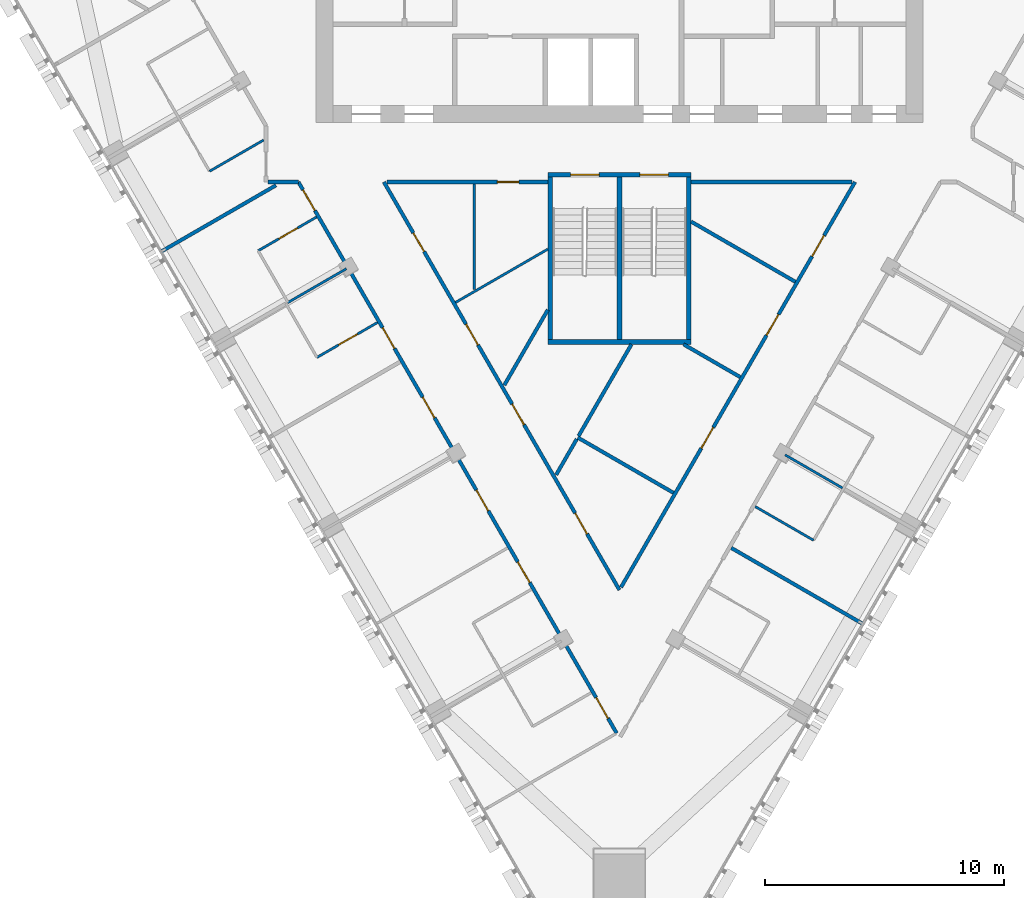
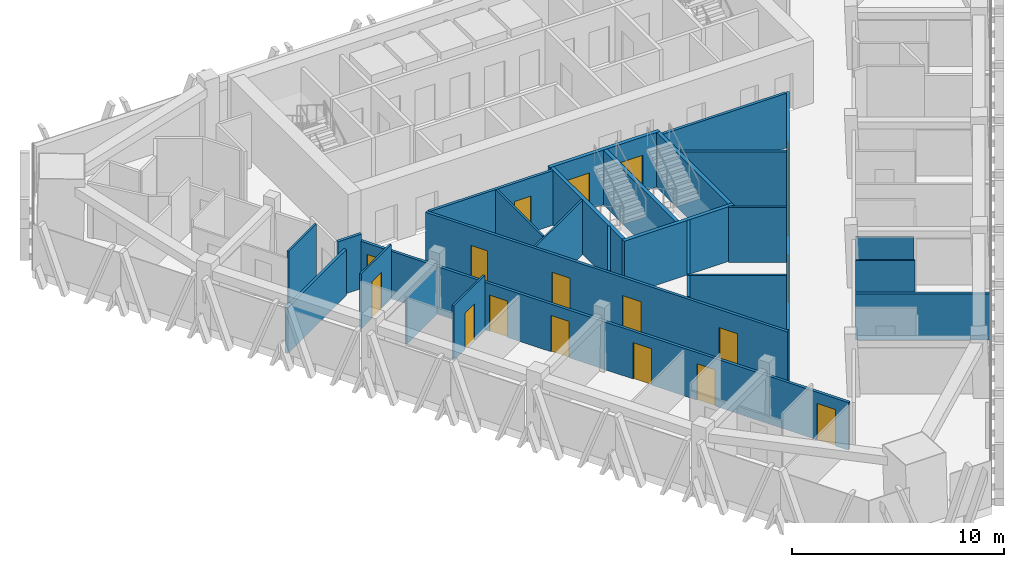
# One storey, part 9 of 16: 27 walls, 18 doors, 18 openings.
"""IFC4 building model written with IfcOpenShell, lengths in metres."""

from ifc_helpers import new_model, si_unit, direction, frame, frame_2d, origin, place, context, subcontext, project, spatial, rectangle, extrude, material, layer, layer_set, type_object, element, fill, save


model = new_model("IFC4")

# Units and contexts
model_context = context("Model", 3, precision=1e-05, world=origin(), true_north=direction((0.0, 1.0)))
body_context = subcontext(model_context, "Body", "Model", "MODEL_VIEW")
ifc_project = project(units=[si_unit("LENGTHUNIT", "METRE"), si_unit("AREAUNIT", "SQUARE_METRE"), si_unit("VOLUMEUNIT", "CUBIC_METRE"), si_unit("PLANEANGLEUNIT", "RADIAN"), si_unit("MASSUNIT", "GRAM", prefix="KILO")], contexts=[model_context])

# Site, building, storey
site_placement = place(None, origin())
site = spatial("IfcSite", under=ifc_project, at=site_placement, CompositionType="ELEMENT")
building_placement = place(site_placement, origin())
building = spatial("IfcBuilding", under=site, at=building_placement, Name="Altiplano Prism Tower", CompositionType="ELEMENT")
storey_placement = place(building_placement, frame((0.0, 0.0, 181.800048828125)))
storey = spatial("IfcBuildingStorey", under=building, at=storey_placement, Name="L47", CompositionType="ELEMENT", Elevation=181.800048828125)

# Wall
ifc_material_1 = material(Name="Plasterboard on steel stud", Category="steel")
ifc_layer_1 = layer(ifc_material_1, 0.10009765625)
ifc_layer_set_1 = layer_set([ifc_layer_1], Name="Plasterboard on steel stud")
wall_type_1 = type_object("IfcWallType", Name="Partition 100 unit", PredefinedType="PARTITIONING", material=ifc_layer_set_1)
wall_1_placement = place(storey_placement, frame((70.10009765625, 91.955322265625, 0.0), z_axis=(0.0, 0.0, 1.0), x_axis=(-0.866041074705, -0.499972856187, 0.0)))
element("IfcWall", 1, at=wall_1_placement, inside=storey, type_object=wall_type_1, Name="Partition P02 L47 048", PredefinedType="PARTITIONING", context=body_context, shape_type="SweptSolid", body=[
    extrude(rectangle(XDim=2.616455078125, YDim=0.10009765625, at=frame_2d((1.30810546875, 0.0))), origin(), (0.0, 0.0, 1.0), 3.14990234375),
])

# Wall, opening, door
wall_2_placement = place(storey_placement, frame((69.87060546875, 87.319580078125, 0.0), z_axis=(0.0, 0.0, 1.0), x_axis=(0.866011447264, 0.500024172624, 0.0)))
wall_2 = element("IfcWall", 2, at=wall_2_placement, inside=storey, type_object=wall_type_1, Name="Partition P02 L47 051", PredefinedType="PARTITIONING", context=body_context, shape_type="SweptSolid", body=[
    extrude(rectangle(XDim=2.824951171875, YDim=0.10009765625, at=frame_2d((1.41259765625, 0.0))), origin(), (0.0, 0.0, 1.0), 3.14990234375),
])
opening_1_placement = place(wall_2_placement, frame((1.0, 0.0, 0.0)))
opening_1 = element("IfcOpeningElement", 3, at=opening_1_placement, cuts=wall_2, Name="Opening D1661", PredefinedType="OPENING", context=body_context, shape_type="SweptSolid", body=[
    extrude(rectangle(XDim=0.89990234375, YDim=2.10009765625, at=frame_2d((0.449951171875, 1.050048828125))), frame((0.0, 0.060546875, 0.0), z_axis=(0.0, -1.0, 0.0), x_axis=(1.0, 0.0, 0.0)), (0.0, 0.0, 1.0), 0.12109375),
])
ifc_material_2 = material(Name="Timber", Category="wood")
door_type_1 = type_object("IfcDoorType", Name="Ensuite door 900 x 2100", OperationType="NOTDEFINED", PredefinedType="NOTDEFINED", material=ifc_material_2)
door_1_placement = place(opening_1_placement, origin())
door_1 = element("IfcDoor", 4, at=door_1_placement, inside=storey, type_object=door_type_1, Name="Door D1661", OperationType="SINGLE_SWING_LEFT", OverallHeight=2.10009765625, OverallWidth=0.89990234375, PredefinedType="NOTDEFINED", context=body_context, shape_type="SweptSolid", body=[
    extrude(rectangle(XDim=0.89990234375, YDim=2.10009765625, at=frame_2d((0.449951171875, 1.050048828125))), frame((0.0, 0.02490234375, 0.0), z_axis=(0.0, -1.0, 0.0), x_axis=(1.0, 0.0, 0.0)), (0.0, 0.0, 1.0), 0.050048828125),
])
fill(opening_1, door_1)

wall_3_placement = place(storey_placement, frame((74.8671875, 84.3154296875, 0.0), z_axis=(0.0, 0.0, 1.0), x_axis=(-0.866025730634, -0.499999433879, 0.0)))
wall_3 = element("IfcWall", 5, at=wall_3_placement, inside=storey, type_object=wall_type_1, Name="Partition P02 L47 054", PredefinedType="PARTITIONING", context=body_context, shape_type="SweptSolid", body=[
    extrude(rectangle(XDim=2.9248046875, YDim=0.10009765625, at=frame_2d((1.46240234375, 0.0))), origin(), (0.0, 0.0, 1.0), 3.14990234375),
])
opening_2_placement = place(wall_3_placement, frame((0.97509765625, 0.0, 0.0)))
opening_2 = element("IfcOpeningElement", 6, at=opening_2_placement, cuts=wall_3, Name="Opening D1663", PredefinedType="OPENING", context=body_context, shape_type="SweptSolid", body=[
    extrude(rectangle(XDim=0.89990234375, YDim=2.10009765625, at=frame_2d((0.449951171875, 1.050048828125))), frame((0.0, 0.060546875, 0.0), z_axis=(0.0, -1.0, 0.0), x_axis=(1.0, 0.0, 0.0)), (0.0, 0.0, 1.0), 0.12109375),
])
door_2_placement = place(opening_2_placement, origin())
door_2 = element("IfcDoor", 7, at=door_2_placement, inside=storey, type_object=door_type_1, Name="Door D1663", OperationType="SINGLE_SWING_RIGHT", OverallHeight=2.10009765625, OverallWidth=0.89990234375, PredefinedType="NOTDEFINED", context=body_context, shape_type="SweptSolid", body=[
    extrude(rectangle(XDim=0.89990234375, YDim=2.10009765625, at=frame_2d((0.449951171875, 1.050048828125))), frame((0.0, 0.02490234375, 0.0), z_axis=(0.0, -1.0, 0.0), x_axis=(1.0, 0.0, 0.0)), (0.0, 0.0, 1.0), 0.050048828125),
])
fill(opening_2, door_2)

# Walls
wall_4_placement = place(storey_placement, frame((93.12939453125, 75.1953125, 0.0), z_axis=(0.0, 0.0, 1.0), x_axis=(-0.866011447264, 0.500024172624, 0.0)))
element("IfcWall", 8, at=wall_4_placement, inside=storey, type_object=wall_type_1, Name="Partition P02 L47 069", PredefinedType="PARTITIONING", context=body_context, shape_type="SweptSolid", body=[
    extrude(rectangle(XDim=2.824951171875, YDim=0.10009765625, at=frame_2d((1.41259765625, 0.0))), origin(), (0.0, 0.0, 1.0), 3.14990234375),
])
ifc_layer_2 = layer(ifc_material_1, 0.10009765625)
ifc_layer_set_2 = layer_set([ifc_layer_2], Name="Plasterboard on steel stud")
wall_type_2 = type_object("IfcWallType", Name="Partition 100 wet", PredefinedType="PARTITIONING", material=ifc_layer_set_2)
wall_5_placement = place(storey_placement, frame((78.9189453125, 90.125, 0.0), z_axis=(0.0, 0.0, 1.0), x_axis=(0.0, -1.0, 0.0)))
element("IfcWall", 9, at=wall_5_placement, inside=storey, type_object=wall_type_2, Name="Partition P03 L47 035", PredefinedType="PARTITIONING", context=body_context, shape_type="SweptSolid", body=[
    extrude(rectangle(XDim=4.4306640625, YDim=0.10009765625, at=frame_2d((2.21533203125, 0.0))), origin(), (0.0, 0.0, 1.0), 3.14990234375),
])
wall_6_placement = place(storey_placement, frame((78.13525390625, 85.1552734375, 0.0), z_axis=(0.0, 0.0, 1.0), x_axis=(0.866036176647, 0.49998134039, 0.0)))
element("IfcWall", 10, at=wall_6_placement, inside=storey, type_object=wall_type_2, Name="Partition P03 L47 036", PredefinedType="PARTITIONING", context=body_context, shape_type="SweptSolid", body=[
    extrude(rectangle(XDim=4.462646484375, YDim=0.10009765625, at=frame_2d((2.2314453125, 0.0))), origin(), (0.0, 0.0, 1.0), 3.14990234375),
])
wall_7_placement = place(storey_placement, frame((71.103271484375, 85.14453125, 0.0), z_axis=(0.0, 0.0, 1.0), x_axis=(0.866011243319, 0.500024525844, 0.0)))
element("IfcWall", 11, at=wall_7_placement, inside=storey, type_object=wall_type_2, Name="Partition P03 L47 053", PredefinedType="PARTITIONING", context=body_context, shape_type="SweptSolid", body=[
    extrude(rectangle(XDim=2.844970703125, YDim=0.10009765625, at=frame_2d((1.42236328125, 0.0))), origin(), (0.0, 0.0, 1.0), 2.75),
])
wall_8_placement = place(storey_placement, frame((94.3359375, 77.38525390625, 0.0), z_axis=(0.0, 0.0, 1.0), x_axis=(-0.865981921271, 0.50007530636, 0.0)))
element("IfcWall", 12, at=wall_8_placement, inside=storey, type_object=wall_type_2, Name="Partition P03 L47 071", PredefinedType="PARTITIONING", context=body_context, shape_type="SweptSolid", body=[
    extrude(rectangle(XDim=2.77490234375, YDim=0.10009765625, at=frame_2d((1.387451171875, 0.0))), origin(), (0.0, 0.0, 1.0), 2.75),
])

# Wall, openings, doors
ifc_layer_3 = layer(ifc_material_1, 0.14990234375)
ifc_layer_set_3 = layer_set([ifc_layer_3], Name="Plasterboard on steel stud")
wall_type_3 = type_object("IfcWallType", Name="Partition 150 corridor", PredefinedType="PARTITIONING", material=ifc_layer_set_3)
wall_9_placement = place(storey_placement, frame((85.0, 73.114990234375, 0.0), z_axis=(0.0, 0.0, 1.0), x_axis=(-0.500000261386, 0.866025252873, 0.0)))
wall_9 = element("IfcWall", 13, at=wall_9_placement, inside=storey, type_object=wall_type_3, Name="Partition P06 L47 001", PredefinedType="PARTITIONING", context=body_context, shape_type="SweptSolid", body=[
    extrude(rectangle(XDim=19.72802734375, YDim=0.14990234375, at=frame_2d((9.864013671875, 0.0))), origin(), (0.0, 0.0, 1.0), 3.14990234375),
])
opening_3_placement = place(wall_9_placement, frame((16.362060546875, 0.0, 0.0)))
opening_3 = element("IfcOpeningElement", 14, at=opening_3_placement, cuts=wall_9, Name="Opening D1651", PredefinedType="OPENING", context=body_context, shape_type="SweptSolid", body=[
    extrude(rectangle(XDim=0.89990234375, YDim=2.10009765625, at=frame_2d((0.449951171875, 1.050048828125))), frame((0.0, 0.08544921875, 0.0), z_axis=(0.0, -1.0, 0.0), x_axis=(1.0, 0.0, 0.0)), (0.0, 0.0, 1.0), 0.1708984375),
])
opening_4_placement = place(wall_9_placement, frame((11.846923828125, 0.0, 0.0)))
opening_4 = element("IfcOpeningElement", 15, at=opening_4_placement, cuts=wall_9, Name="Opening D1652", PredefinedType="OPENING", context=body_context, shape_type="SweptSolid", body=[
    extrude(rectangle(XDim=1.0, YDim=2.10009765625, at=frame_2d((0.5, 1.050048828125))), frame((0.0, 0.08544921875, 0.0), z_axis=(0.0, -1.0, 0.0), x_axis=(1.0, 0.0, 0.0)), (0.0, 0.0, 1.0), 0.1708984375),
])
opening_5_placement = place(wall_9_placement, frame((2.715087890625, 0.0, 0.0)))
opening_5 = element("IfcOpeningElement", 16, at=opening_5_placement, cuts=wall_9, Name="Opening D1653", PredefinedType="OPENING", context=body_context, shape_type="SweptSolid", body=[
    extrude(rectangle(XDim=1.0, YDim=2.10009765625, at=frame_2d((0.5, 1.050048828125))), frame((0.0, 0.08544921875, 0.0), z_axis=(0.0, -1.0, 0.0), x_axis=(1.0, 0.0, 0.0)), (0.0, 0.0, 1.0), 0.1708984375),
])
opening_6_placement = place(wall_9_placement, frame((7.990966796875, 0.0, 0.0)))
opening_6 = element("IfcOpeningElement", 17, at=opening_6_placement, cuts=wall_9, Name="Opening D1654", PredefinedType="OPENING", context=body_context, shape_type="SweptSolid", body=[
    extrude(rectangle(XDim=1.0, YDim=2.10009765625, at=frame_2d((0.5, 1.050048828125))), frame((0.0, 0.08544921875, 0.0), z_axis=(0.0, -1.0, 0.0), x_axis=(1.0, 0.0, 0.0)), (0.0, 0.0, 1.0), 0.1708984375),
])
door_type_2 = type_object("IfcDoorType", Name="Store door 1000 x 2100", OperationType="NOTDEFINED", PredefinedType="NOTDEFINED", material=ifc_material_2)
door_3_placement = place(opening_4_placement, origin())
door_3 = element("IfcDoor", 18, at=door_3_placement, inside=storey, type_object=door_type_2, Name="Door D1652", OperationType="SINGLE_SWING_RIGHT", OverallHeight=2.10009765625, OverallWidth=1.0, PredefinedType="NOTDEFINED", context=body_context, shape_type="SweptSolid", body=[
    extrude(rectangle(XDim=1.0, YDim=2.10009765625, at=frame_2d((0.5, 1.050048828125))), frame((0.0, 0.02490234375, 0.0), z_axis=(0.0, -1.0, 0.0), x_axis=(1.0, 0.0, 0.0)), (0.0, 0.0, 1.0), 0.050048828125),
])
fill(opening_4, door_3)
door_4_placement = place(opening_5_placement, origin())
door_4 = element("IfcDoor", 19, at=door_4_placement, inside=storey, type_object=door_type_2, Name="Door D1653", OperationType="SINGLE_SWING_RIGHT", OverallHeight=2.10009765625, OverallWidth=1.0, PredefinedType="NOTDEFINED", context=body_context, shape_type="SweptSolid", body=[
    extrude(rectangle(XDim=1.0, YDim=2.10009765625, at=frame_2d((0.5, 1.050048828125))), frame((0.0, 0.02490234375, 0.0), z_axis=(0.0, -1.0, 0.0), x_axis=(1.0, 0.0, 0.0)), (0.0, 0.0, 1.0), 0.050048828125),
])
fill(opening_5, door_4)
door_5_placement = place(opening_6_placement, origin())
door_5 = element("IfcDoor", 20, at=door_5_placement, inside=storey, type_object=door_type_2, Name="Door D1654", OperationType="SINGLE_SWING_LEFT", OverallHeight=2.10009765625, OverallWidth=1.0, PredefinedType="NOTDEFINED", context=body_context, shape_type="SweptSolid", body=[
    extrude(rectangle(XDim=1.0, YDim=2.10009765625, at=frame_2d((0.5, 1.050048828125))), frame((0.0, 0.02490234375, 0.0), z_axis=(0.0, -1.0, 0.0), x_axis=(1.0, 0.0, 0.0)), (0.0, 0.0, 1.0), 0.050048828125),
])
fill(opening_6, door_5)
door_type_3 = type_object("IfcDoorType", Name="Toilet door 900 x 2100", OperationType="NOTDEFINED", PredefinedType="NOTDEFINED", material=ifc_material_2)
door_6_placement = place(opening_3_placement, origin())
door_6 = element("IfcDoor", 21, at=door_6_placement, inside=storey, type_object=door_type_3, Name="Door D1651", OperationType="SINGLE_SWING_LEFT", OverallHeight=2.10009765625, OverallWidth=0.89990234375, PredefinedType="NOTDEFINED", context=body_context, shape_type="SweptSolid", body=[
    extrude(rectangle(XDim=0.89990234375, YDim=2.10009765625, at=frame_2d((0.449951171875, 1.050048828125))), frame((0.0, 0.02490234375, 0.0), z_axis=(0.0, -1.0, 0.0), x_axis=(1.0, 0.0, 0.0)), (0.0, 0.0, 1.0), 0.050048828125),
])
fill(opening_3, door_6)

# Wall, opening, door
wall_10_placement = place(storey_placement, frame((75.265869140625, 90.199951171875, 0.0), z_axis=(0.0, 0.0, 1.0), x_axis=(1.0, 0.0, 0.0)))
wall_10 = element("IfcWall", 22, at=wall_10_placement, inside=storey, type_object=wall_type_3, Name="Partition P06 L47 002", PredefinedType="PARTITIONING", context=body_context, shape_type="SweptSolid", body=[
    extrude(rectangle(XDim=6.734130859375, YDim=0.14990234375, at=frame_2d((3.3671875, 0.0))), origin(), (0.0, 0.0, 1.0), 3.14990234375),
])
opening_7_placement = place(wall_10_placement, frame((4.6201171875, 0.0, 0.0)))
opening_7 = element("IfcOpeningElement", 23, at=opening_7_placement, cuts=wall_10, Name="Opening D1650", PredefinedType="OPENING", context=body_context, shape_type="SweptSolid", body=[
    extrude(rectangle(XDim=0.89990234375, YDim=2.10009765625, at=frame_2d((0.449951171875, 1.050048828125))), frame((0.0, 0.08544921875, 0.0), z_axis=(0.0, -1.0, 0.0), x_axis=(1.0, 0.0, 0.0)), (0.0, 0.0, 1.0), 0.1708984375),
])
door_7_placement = place(opening_7_placement, origin())
door_7 = element("IfcDoor", 24, at=door_7_placement, inside=storey, type_object=door_type_3, Name="Door D1650", OperationType="SINGLE_SWING_LEFT", OverallHeight=2.10009765625, OverallWidth=0.89990234375, PredefinedType="NOTDEFINED", context=body_context, shape_type="SweptSolid", body=[
    extrude(rectangle(XDim=0.89990234375, YDim=2.10009765625, at=frame_2d((0.449951171875, 1.050048828125))), frame((0.0, 0.02490234375, 0.0), z_axis=(0.0, -1.0, 0.0), x_axis=(1.0, 0.0, 0.0)), (0.0, 0.0, 1.0), 0.050048828125),
])
fill(opening_7, door_7)

# Wall
wall_11_placement = place(storey_placement, frame((70.27490234375, 90.199951171875, 0.0), z_axis=(0.0, 0.0, 1.0), x_axis=(1.0, 0.0, 0.0)))
element("IfcWall", 25, at=wall_11_placement, inside=storey, type_object=wall_type_3, Name="Partition P06 L47 006", PredefinedType="PARTITIONING", context=body_context, shape_type="SweptSolid", body=[
    extrude(rectangle(XDim=1.281494140625, YDim=0.14990234375, at=frame_2d((0.640625, 0.0))), origin(), (0.0, 0.0, 1.0), 3.14990234375),
])

# Wall, openings, doors
wall_12_placement = place(storey_placement, frame((71.556396484375, 90.199951171875, 0.0), z_axis=(0.0, 0.0, 1.0), x_axis=(0.499999195485, -0.866025868271, 0.0)))
wall_12 = element("IfcWall", 26, at=wall_12_placement, inside=storey, type_object=wall_type_3, Name="Partition P06 L47 007", PredefinedType="PARTITIONING", context=body_context, shape_type="SweptSolid", body=[
    extrude(rectangle(XDim=26.6513671875, YDim=0.14990234375, at=frame_2d((13.32568359375, 0.0))), origin(), (0.0, 0.0, 1.0), 2.75),
])
opening_8_placement = place(wall_12_placement, frame((0.381103515625, 0.0, 0.0)))
opening_8 = element("IfcOpeningElement", 27, at=opening_8_placement, cuts=wall_12, Name="Opening D1660", PredefinedType="OPENING", context=body_context, shape_type="SweptSolid", body=[
    extrude(rectangle(XDim=1.0, YDim=2.10009765625, at=frame_2d((0.5, 1.050048828125))), frame((0.0, 0.08544921875, 0.0), z_axis=(0.0, -1.0, 0.0), x_axis=(1.0, 0.0, 0.0)), (0.0, 0.0, 1.0), 0.1708984375),
])
opening_9_placement = place(wall_12_placement, frame((7.047119140625, 0.0, 0.0)))
opening_9 = element("IfcOpeningElement", 28, at=opening_9_placement, cuts=wall_12, Name="Opening D1662", PredefinedType="OPENING", context=body_context, shape_type="SweptSolid", body=[
    extrude(rectangle(XDim=1.0, YDim=2.10009765625, at=frame_2d((0.5, 1.050048828125))), frame((0.0, 0.08544921875, 0.0), z_axis=(0.0, -1.0, 0.0), x_axis=(1.0, 0.0, 0.0)), (0.0, 0.0, 1.0), 0.1708984375),
])
opening_10_placement = place(wall_12_placement, frame((10.402099609375, 0.0, 0.0)))
opening_10 = element("IfcOpeningElement", 29, at=opening_10_placement, cuts=wall_12, Name="Opening D1664", PredefinedType="OPENING", context=body_context, shape_type="SweptSolid", body=[
    extrude(rectangle(XDim=1.0, YDim=2.10009765625, at=frame_2d((0.5, 1.050048828125))), frame((0.0, 0.08544921875, 0.0), z_axis=(0.0, -1.0, 0.0), x_axis=(1.0, 0.0, 0.0)), (0.0, 0.0, 1.0), 0.1708984375),
])
opening_11_placement = place(wall_12_placement, frame((14.902099609375, 0.0, 0.0)))
opening_11 = element("IfcOpeningElement", 30, at=opening_11_placement, cuts=wall_12, Name="Opening D1665", PredefinedType="OPENING", context=body_context, shape_type="SweptSolid", body=[
    extrude(rectangle(XDim=1.0, YDim=2.10009765625, at=frame_2d((0.5, 1.050048828125))), frame((0.0, 0.08544921875, 0.0), z_axis=(0.0, -1.0, 0.0), x_axis=(1.0, 0.0, 0.0)), (0.0, 0.0, 1.0), 0.1708984375),
])
opening_12_placement = place(wall_12_placement, frame((18.3720703125, 0.0, 0.0)))
opening_12 = element("IfcOpeningElement", 31, at=opening_12_placement, cuts=wall_12, Name="Opening D1666", PredefinedType="OPENING", context=body_context, shape_type="SweptSolid", body=[
    extrude(rectangle(XDim=1.0, YDim=2.10009765625, at=frame_2d((0.5, 1.050048828125))), frame((0.0, 0.08544921875, 0.0), z_axis=(0.0, -1.0, 0.0), x_axis=(1.0, 0.0, 0.0)), (0.0, 0.0, 1.0), 0.1708984375),
])
opening_13_placement = place(wall_12_placement, frame((24.93310546875, 0.0, 0.0)))
opening_13 = element("IfcOpeningElement", 32, at=opening_13_placement, cuts=wall_12, Name="Opening D1668", PredefinedType="OPENING", context=body_context, shape_type="SweptSolid", body=[
    extrude(rectangle(XDim=1.0, YDim=2.10009765625, at=frame_2d((0.5, 1.050048828125))), frame((0.0, 0.08544921875, 0.0), z_axis=(0.0, -1.0, 0.0), x_axis=(1.0, 0.0, 0.0)), (0.0, 0.0, 1.0), 0.1708984375),
])
door_type_4 = type_object("IfcDoorType", Name="Bedroom entrance door 1000 x 2100", OperationType="NOTDEFINED", PredefinedType="NOTDEFINED", material=ifc_material_2)
door_8_placement = place(opening_8_placement, origin())
door_8 = element("IfcDoor", 33, at=door_8_placement, inside=storey, type_object=door_type_4, Name="Door D1660", OperationType="SINGLE_SWING_RIGHT", OverallHeight=2.10009765625, OverallWidth=1.0, PredefinedType="NOTDEFINED", context=body_context, shape_type="SweptSolid", body=[
    extrude(rectangle(XDim=1.0, YDim=2.10009765625, at=frame_2d((0.5, 1.050048828125))), frame((0.0, 0.02490234375, 0.0), z_axis=(0.0, -1.0, 0.0), x_axis=(1.0, 0.0, 0.0)), (0.0, 0.0, 1.0), 0.050048828125),
])
fill(opening_8, door_8)
door_9_placement = place(opening_9_placement, origin())
door_9 = element("IfcDoor", 34, at=door_9_placement, inside=storey, type_object=door_type_4, Name="Door D1662", OperationType="SINGLE_SWING_RIGHT", OverallHeight=2.10009765625, OverallWidth=1.0, PredefinedType="NOTDEFINED", context=body_context, shape_type="SweptSolid", body=[
    extrude(rectangle(XDim=1.0, YDim=2.10009765625, at=frame_2d((0.5, 1.050048828125))), frame((0.0, 0.02490234375, 0.0), z_axis=(0.0, -1.0, 0.0), x_axis=(1.0, 0.0, 0.0)), (0.0, 0.0, 1.0), 0.050048828125),
])
fill(opening_9, door_9)
door_10_placement = place(opening_12_placement, origin())
door_10 = element("IfcDoor", 35, at=door_10_placement, inside=storey, type_object=door_type_4, Name="Door D1666", OperationType="SINGLE_SWING_RIGHT", OverallHeight=2.10009765625, OverallWidth=1.0, PredefinedType="NOTDEFINED", context=body_context, shape_type="SweptSolid", body=[
    extrude(rectangle(XDim=1.0, YDim=2.10009765625, at=frame_2d((0.5, 1.050048828125))), frame((0.0, 0.02490234375, 0.0), z_axis=(0.0, -1.0, 0.0), x_axis=(1.0, 0.0, 0.0)), (0.0, 0.0, 1.0), 0.050048828125),
])
fill(opening_12, door_10)
door_11_placement = place(opening_13_placement, origin())
door_11 = element("IfcDoor", 36, at=door_11_placement, inside=storey, type_object=door_type_4, Name="Door D1668", OperationType="SINGLE_SWING_RIGHT", OverallHeight=2.10009765625, OverallWidth=1.0, PredefinedType="NOTDEFINED", context=body_context, shape_type="SweptSolid", body=[
    extrude(rectangle(XDim=1.0, YDim=2.10009765625, at=frame_2d((0.5, 1.050048828125))), frame((0.0, 0.02490234375, 0.0), z_axis=(0.0, -1.0, 0.0), x_axis=(1.0, 0.0, 0.0)), (0.0, 0.0, 1.0), 0.050048828125),
])
fill(opening_13, door_11)
door_type_5 = type_object("IfcDoorType", Name="Room door 1000 x 2100", OperationType="NOTDEFINED", PredefinedType="NOTDEFINED", material=ifc_material_2)
door_12_placement = place(opening_10_placement, origin())
door_12 = element("IfcDoor", 37, at=door_12_placement, inside=storey, type_object=door_type_5, Name="Door D1664", OperationType="SINGLE_SWING_RIGHT", OverallHeight=2.10009765625, OverallWidth=1.0, PredefinedType="NOTDEFINED", context=body_context, shape_type="SweptSolid", body=[
    extrude(rectangle(XDim=1.0, YDim=2.10009765625, at=frame_2d((0.5, 1.050048828125))), frame((0.0, 0.02490234375, 0.0), z_axis=(0.0, -1.0, 0.0), x_axis=(1.0, 0.0, 0.0)), (0.0, 0.0, 1.0), 0.050048828125),
])
fill(opening_10, door_12)
door_13_placement = place(opening_11_placement, origin())
door_13 = element("IfcDoor", 38, at=door_13_placement, inside=storey, type_object=door_type_5, Name="Door D1665", OperationType="SINGLE_SWING_LEFT", OverallHeight=2.10009765625, OverallWidth=1.0, PredefinedType="NOTDEFINED", context=body_context, shape_type="SweptSolid", body=[
    extrude(rectangle(XDim=1.0, YDim=2.10009765625, at=frame_2d((0.5, 1.050048828125))), frame((0.0, 0.02490234375, 0.0), z_axis=(0.0, -1.0, 0.0), x_axis=(1.0, 0.0, 0.0)), (0.0, 0.0, 1.0), 0.050048828125),
])
fill(opening_11, door_13)

wall_13_placement = place(storey_placement, frame((94.864013671875, 90.199951171875, 0.0), z_axis=(0.0, 0.0, 1.0), x_axis=(-0.500001743747, -0.866024397029, 0.0)))
wall_13 = element("IfcWall", 39, at=wall_13_placement, inside=storey, type_object=wall_type_3, Name="Partition P06 L47 033", PredefinedType="PARTITIONING", context=body_context, shape_type="SweptSolid", body=[
    extrude(rectangle(XDim=19.59814453125, YDim=0.14990234375, at=frame_2d((9.799072265625, 0.0))), origin(), (0.0, 0.0, 1.0), 3.14990234375),
])
opening_14_placement = place(wall_13_placement, frame((6.407958984375, 0.0, 0.0)))
opening_14 = element("IfcOpeningElement", 40, at=opening_14_placement, cuts=wall_13, Name="Opening D1655", PredefinedType="OPENING", context=body_context, shape_type="SweptSolid", body=[
    extrude(rectangle(XDim=1.0, YDim=2.10009765625, at=frame_2d((0.5, 1.050048828125))), frame((0.0, 0.08544921875, 0.0), z_axis=(0.0, -1.0, 0.0), x_axis=(1.0, 0.0, 0.0)), (0.0, 0.0, 1.0), 0.1708984375),
])
opening_15_placement = place(wall_13_placement, frame((11.875, 0.0, 0.0)))
opening_15 = element("IfcOpeningElement", 41, at=opening_15_placement, cuts=wall_13, Name="Opening D1685", PredefinedType="OPENING", context=body_context, shape_type="SweptSolid", body=[
    extrude(rectangle(XDim=1.0, YDim=2.10009765625, at=frame_2d((0.5, 1.050048828125))), frame((0.0, 0.08544921875, 0.0), z_axis=(0.0, -1.0, 0.0), x_axis=(1.0, 0.0, 0.0)), (0.0, 0.0, 1.0), 0.1708984375),
])
opening_16_placement = place(wall_13_placement, frame((2.595947265625, 0.0, 0.0)))
opening_16 = element("IfcOpeningElement", 42, at=opening_16_placement, cuts=wall_13, Name="Opening D1686", PredefinedType="OPENING", context=body_context, shape_type="SweptSolid", body=[
    extrude(rectangle(XDim=1.0, YDim=2.10009765625, at=frame_2d((0.5, 1.050048828125))), frame((0.0, 0.08544921875, 0.0), z_axis=(0.0, -1.0, 0.0), x_axis=(1.0, 0.0, 0.0)), (0.0, 0.0, 1.0), 0.1708984375),
])
door_14_placement = place(opening_15_placement, origin())
door_14 = element("IfcDoor", 43, at=door_14_placement, inside=storey, type_object=door_type_5, Name="Door D1685", OperationType="SINGLE_SWING_RIGHT", OverallHeight=2.10009765625, OverallWidth=1.0, PredefinedType="NOTDEFINED", context=body_context, shape_type="SweptSolid", body=[
    extrude(rectangle(XDim=1.0, YDim=2.10009765625, at=frame_2d((0.5, 1.050048828125))), frame((0.0, 0.02490234375, 0.0), z_axis=(0.0, -1.0, 0.0), x_axis=(1.0, 0.0, 0.0)), (0.0, 0.0, 1.0), 0.050048828125),
])
fill(opening_15, door_14)
door_15_placement = place(opening_14_placement, origin())
door_15 = element("IfcDoor", 44, at=door_15_placement, inside=storey, type_object=door_type_2, Name="Door D1655", OperationType="SINGLE_SWING_RIGHT", OverallHeight=2.10009765625, OverallWidth=1.0, PredefinedType="NOTDEFINED", context=body_context, shape_type="SweptSolid", body=[
    extrude(rectangle(XDim=1.0, YDim=2.10009765625, at=frame_2d((0.5, 1.050048828125))), frame((0.0, 0.02490234375, 0.0), z_axis=(0.0, -1.0, 0.0), x_axis=(1.0, 0.0, 0.0)), (0.0, 0.0, 1.0), 0.050048828125),
])
fill(opening_14, door_15)
door_16_placement = place(opening_16_placement, origin())
door_16 = element("IfcDoor", 45, at=door_16_placement, inside=storey, type_object=door_type_2, Name="Door D1686", OperationType="SINGLE_SWING_RIGHT", OverallHeight=2.10009765625, OverallWidth=1.0, PredefinedType="NOTDEFINED", context=body_context, shape_type="SweptSolid", body=[
    extrude(rectangle(XDim=1.0, YDim=2.10009765625, at=frame_2d((0.5, 1.050048828125))), frame((0.0, 0.02490234375, 0.0), z_axis=(0.0, -1.0, 0.0), x_axis=(1.0, 0.0, 0.0)), (0.0, 0.0, 1.0), 0.050048828125),
])
fill(opening_16, door_16)

# Walls
wall_14_placement = place(storey_placement, frame((88.0, 90.199951171875, 0.0), z_axis=(0.0, 0.0, 1.0), x_axis=(1.0, 0.0, 0.0)))
element("IfcWall", 46, at=wall_14_placement, inside=storey, type_object=wall_type_3, Name="Partition P06 L47 034", PredefinedType="PARTITIONING", context=body_context, shape_type="SweptSolid", body=[
    extrude(rectangle(XDim=6.734130859375, YDim=0.14990234375, at=frame_2d((3.3671875, 0.0))), origin(), (0.0, 0.0, 1.0), 3.14990234375),
])
ifc_layer_4 = layer(ifc_material_1, 0.14990234375)
ifc_layer_set_4 = layer_set([ifc_layer_4], Name="Plasterboard on steel stud")
wall_type_4 = type_object("IfcWallType", Name="Partition 150 party", PredefinedType="PARTITIONING", material=ifc_layer_set_4)
wall_15_placement = place(storey_placement, frame((80.177978515625, 81.69189453125, 0.0), z_axis=(0.0, 0.0, 1.0), x_axis=(0.500037576254, 0.866003708037, 0.0)))
element("IfcWall", 47, at=wall_15_placement, inside=storey, type_object=wall_type_4, Name="Partition P01 L47 037", PredefinedType="PARTITIONING", context=body_context, shape_type="SweptSolid", body=[
    extrude(rectangle(XDim=3.643798828125, YDim=0.14990234375, at=frame_2d((1.82177734375, 0.0))), origin(), (0.0, 0.0, 1.0), 3.14990234375),
])
wall_16_placement = place(storey_placement, frame((83.212890625, 79.4345703125, 0.0), z_axis=(0.0, 0.0, 1.0), x_axis=(-0.499990973765, -0.866030615021, 0.0)))
element("IfcWall", 48, at=wall_16_placement, inside=storey, type_object=wall_type_4, Name="Partition P01 L47 038", PredefinedType="PARTITIONING", context=body_context, shape_type="SweptSolid", body=[
    extrude(rectangle(XDim=1.7314453125, YDim=0.14990234375, at=frame_2d((0.86572265625, 0.0))), origin(), (0.0, 0.0, 1.0), 3.14990234375),
])
wall_17_placement = place(storey_placement, frame((87.26220703125, 77.18310546875, 0.0), z_axis=(0.0, 0.0, 1.0), x_axis=(-0.866016206699, 0.500015929481, 0.0)))
element("IfcWall", 49, at=wall_17_placement, inside=storey, type_object=wall_type_4, Name="Partition P01 L47 039", PredefinedType="PARTITIONING", context=body_context, shape_type="SweptSolid", body=[
    extrude(rectangle(XDim=4.632568359375, YDim=0.14990234375, at=frame_2d((2.31640625, 0.0))), origin(), (0.0, 0.0, 1.0), 3.14990234375),
])
wall_18_placement = place(storey_placement, frame((83.287841796875, 79.564453125, 0.0), z_axis=(0.0, 0.0, 1.0), x_axis=(0.49999285859, 0.86602952684, 0.0)))
element("IfcWall", 50, at=wall_18_placement, inside=storey, type_object=wall_type_4, Name="Partition P01 L47 040", PredefinedType="PARTITIONING", context=body_context, shape_type="SweptSolid", body=[
    extrude(rectangle(XDim=4.4287109375, YDim=0.14990234375, at=frame_2d((2.21435546875, 0.0))), origin(), (0.0, 0.0, 1.0), 3.14990234375),
])
wall_19_placement = place(storey_placement, frame((87.684814453125, 83.39990234375, 0.0), z_axis=(0.0, 0.0, 1.0), x_axis=(0.866043267704, -0.499969057507, 0.0)))
element("IfcWall", 51, at=wall_19_placement, inside=storey, type_object=wall_type_4, Name="Partition P01 L47 041", PredefinedType="PARTITIONING", context=body_context, shape_type="SweptSolid", body=[
    extrude(rectangle(XDim=2.742431640625, YDim=0.14990234375, at=frame_2d((1.37109375, 0.0))), origin(), (0.0, 0.0, 1.0), 3.14990234375),
])
wall_20_placement = place(storey_placement, frame((92.3642578125, 86.020263671875, 0.0), z_axis=(0.0, 0.0, 1.0), x_axis=(-0.866040369504, 0.499974077718, 0.0)))
element("IfcWall", 52, at=wall_20_placement, inside=storey, type_object=wall_type_4, Name="Partition P01 L47 042", PredefinedType="PARTITIONING", context=body_context, shape_type="SweptSolid", body=[
    extrude(rectangle(XDim=5.039306640625, YDim=0.14990234375, at=frame_2d((2.51953125, 0.0))), origin(), (0.0, 0.0, 1.0), 3.14990234375),
])
wall_21_placement = place(storey_placement, frame((65.822021484375, 87.29150390625, 0.0), z_axis=(0.0, 0.0, 1.0), x_axis=(0.866020375458, 0.500008709215, 0.0)))
element("IfcWall", 53, at=wall_21_placement, inside=storey, type_object=wall_type_4, Name="Partition P01 L47 049", PredefinedType="PARTITIONING", context=body_context, shape_type="SweptSolid", body=[
    extrude(rectangle(XDim=5.537109375, YDim=0.14990234375, at=frame_2d((2.7685546875, 0.0))), origin(), (0.0, 0.0, 1.0), 2.64990234375),
])
wall_22_placement = place(storey_placement, frame((95.177978515625, 71.703125, 0.0), z_axis=(0.0, 0.0, 1.0), x_axis=(-0.866025401434, 0.500000004071, 0.0)))
element("IfcWall", 54, at=wall_22_placement, inside=storey, type_object=wall_type_4, Name="Partition P01 L47 068", PredefinedType="PARTITIONING", context=body_context, shape_type="SweptSolid", body=[
    extrude(rectangle(XDim=6.34521484375, YDim=0.14990234375, at=frame_2d((3.172607421875, 0.0))), origin(), (0.0, 0.0, 1.0), 2.64990234375),
])

# Wall, openings, doors
ifc_material_3 = material(Name="Concrete C60/75", Category="concrete")
ifc_layer_5 = layer(ifc_material_3, 0.199951171875)
ifc_layer_set_5 = layer_set([ifc_layer_5], Name="Concrete C60/75")
wall_type_5 = type_object("IfcWallType", Name="Stair wall 200", PredefinedType="SOLIDWALL", material=ifc_layer_set_5)
wall_23_placement = place(storey_placement, frame((82.0, 90.5, 0.0), z_axis=(0.0, 0.0, 1.0), x_axis=(1.0, 0.0, 0.0)))
wall_23 = element("IfcWall", 55, at=wall_23_placement, inside=storey, type_object=wall_type_5, Name="Stair 3 wall north L47", PredefinedType="SOLIDWALL", context=body_context, shape_type="SweptSolid", body=[
    extrude(rectangle(XDim=6.0, YDim=0.199951171875, at=frame_2d((3.0, 0.0))), origin(), (0.0, 0.0, 1.0), 3.14990234375),
])
opening_17_placement = place(wall_23_placement, frame((0.949951171875, 0.0, 0.0)))
opening_17 = element("IfcOpeningElement", 56, at=opening_17_placement, cuts=wall_23, Name="Opening D4016", PredefinedType="OPENING", context=body_context, shape_type="SweptSolid", body=[
    extrude(rectangle(XDim=1.199951171875, YDim=2.10009765625, at=frame_2d((0.60009765625, 1.050048828125))), frame((0.0, 0.1103515625, 0.0), z_axis=(0.0, -1.0, 0.0), x_axis=(1.0, 0.0, 0.0)), (0.0, 0.0, 1.0), 0.220947265625),
])
opening_18_placement = place(wall_23_placement, frame((3.85009765625, 0.0, 0.0)))
opening_18 = element("IfcOpeningElement", 57, at=opening_18_placement, cuts=wall_23, Name="Opening D4017", PredefinedType="OPENING", context=body_context, shape_type="SweptSolid", body=[
    extrude(rectangle(XDim=1.199951171875, YDim=2.10009765625, at=frame_2d((0.60009765625, 1.050048828125))), frame((0.0, 0.1103515625, 0.0), z_axis=(0.0, -1.0, 0.0), x_axis=(1.0, 0.0, 0.0)), (0.0, 0.0, 1.0), 0.220947265625),
])
ifc_material_4 = material(Name="Fire-rated steel door", Category="steel")
door_type_6 = type_object("IfcDoorType", Name="Stair fire door 1200 x 2100", OperationType="NOTDEFINED", PredefinedType="NOTDEFINED", material=ifc_material_4)
door_17_placement = place(opening_17_placement, origin())
door_17 = element("IfcDoor", 58, at=door_17_placement, inside=storey, type_object=door_type_6, Name="Stair fire door D4016", OperationType="SINGLE_SWING_LEFT", OverallHeight=2.10009765625, OverallWidth=1.199951171875, PredefinedType="NOTDEFINED", context=body_context, shape_type="SweptSolid", body=[
    extrude(rectangle(XDim=1.199951171875, YDim=2.10009765625, at=frame_2d((0.60009765625, 1.050048828125))), frame((0.0, 0.02490234375, 0.0), z_axis=(0.0, -1.0, 0.0), x_axis=(1.0, 0.0, 0.0)), (0.0, 0.0, 1.0), 0.050048828125),
])
fill(opening_17, door_17)
door_18_placement = place(opening_18_placement, origin())
door_18 = element("IfcDoor", 59, at=door_18_placement, inside=storey, type_object=door_type_6, Name="Stair fire door D4017", OperationType="SINGLE_SWING_LEFT", OverallHeight=2.10009765625, OverallWidth=1.199951171875, PredefinedType="NOTDEFINED", context=body_context, shape_type="SweptSolid", body=[
    extrude(rectangle(XDim=1.199951171875, YDim=2.10009765625, at=frame_2d((0.60009765625, 1.050048828125))), frame((0.0, 0.02490234375, 0.0), z_axis=(0.0, -1.0, 0.0), x_axis=(1.0, 0.0, 0.0)), (0.0, 0.0, 1.0), 0.050048828125),
])
fill(opening_18, door_18)

# Walls
wall_24_placement = place(storey_placement, frame((82.0, 83.5, 0.0), z_axis=(0.0, 0.0, 1.0), x_axis=(1.0, 0.0, 0.0)))
element("IfcWall", 60, at=wall_24_placement, inside=storey, type_object=wall_type_5, Name="Stair 3 wall south L47", PredefinedType="SOLIDWALL", context=body_context, shape_type="SweptSolid", body=[
    extrude(rectangle(XDim=6.0, YDim=0.199951171875, at=frame_2d((3.0, 0.0))), origin(), (0.0, 0.0, 1.0), 3.14990234375),
])
for number, where, z_axis, x_axis, name in (
    (61, (82.10009765625, 83.60009765625, 0.0), (0.0, 0.0, 1.0), (0.0, 1.0, 0.0), "Stair 3 wall west L47"),
    (62, (87.89990234375, 83.60009765625, 0.0), (0.0, 0.0, 1.0), (0.0, 1.0, 0.0), "Stair 3 wall east L47"),
    (63, (85.0, 83.60009765625, 0.0), (0.0, 0.0, 1.0), (0.0, 1.0, 0.0), "Stair 3 wall divider L47"),
):
    element("IfcWall", number, at=place(storey_placement, frame(where, z_axis=z_axis, x_axis=x_axis)), inside=storey, type_object=wall_type_5, Name=name, PredefinedType="SOLIDWALL", context=body_context, shape_type="SweptSolid", body=[
        extrude(rectangle(XDim=6.7998046875, YDim=0.199951171875, at=frame_2d((3.39990234375, 0.0))), origin(), (0.0, 0.0, 1.0), 3.14990234375),
    ])

save(model, "model.ifc")
